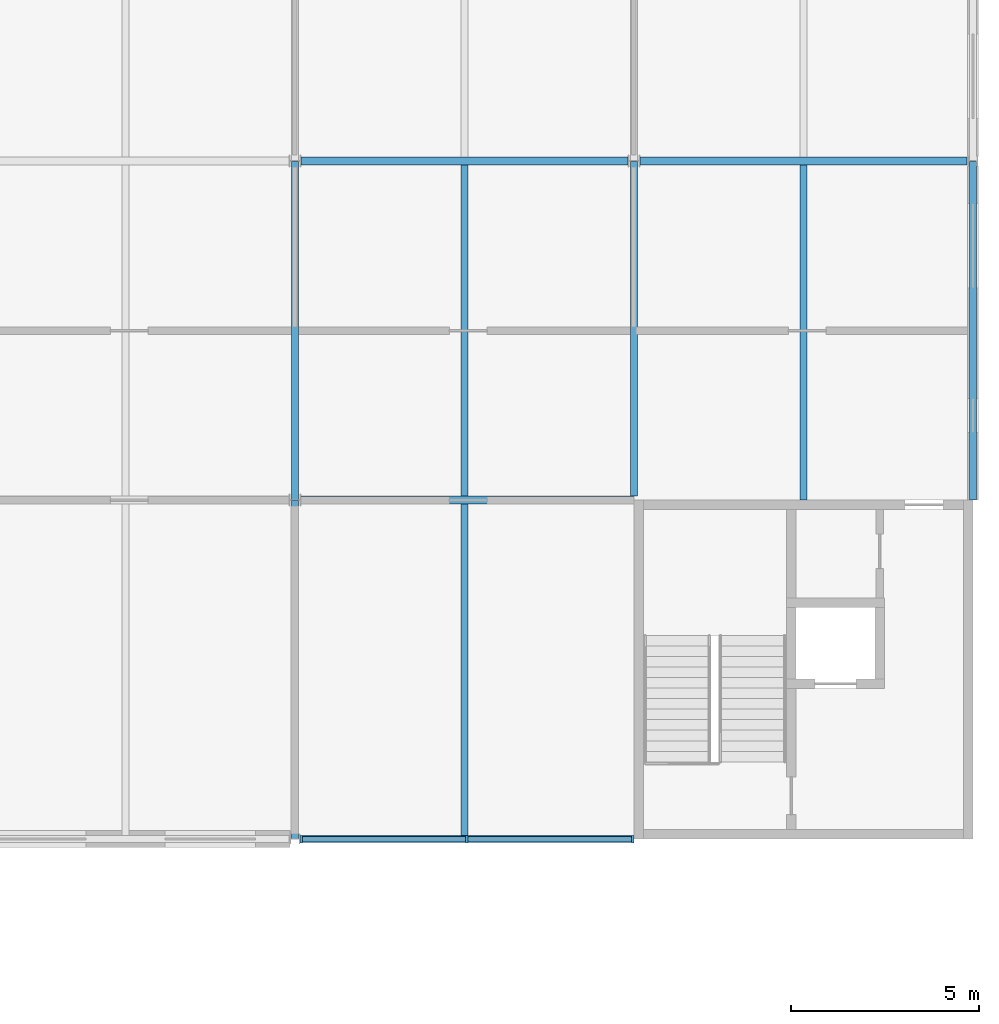
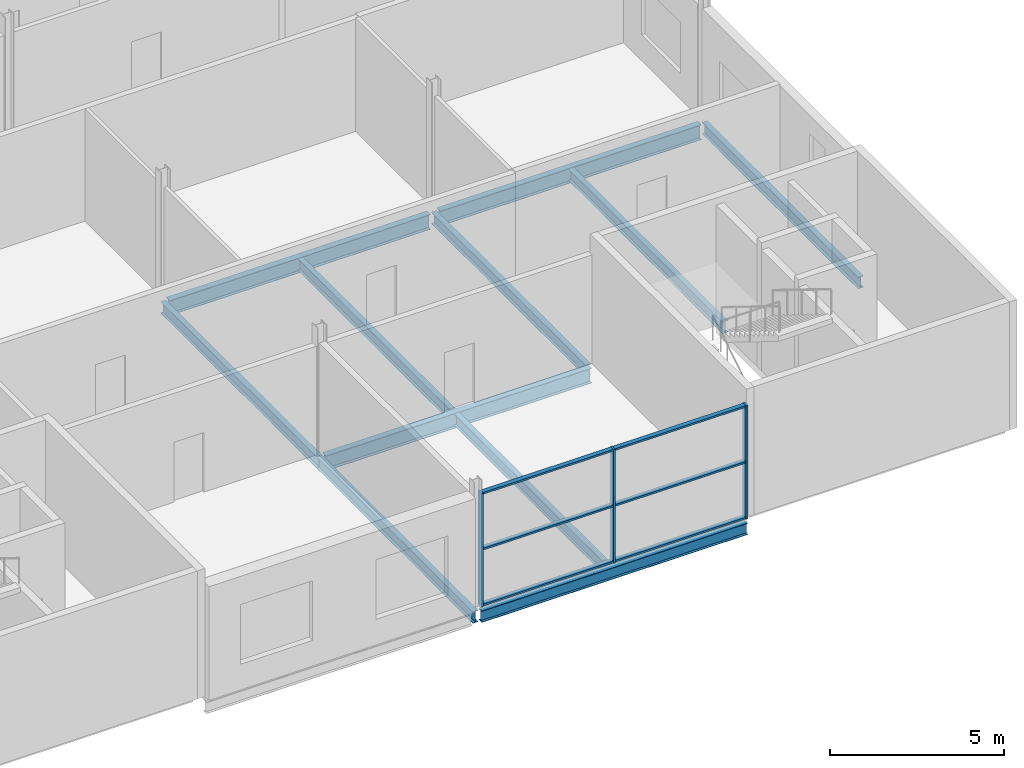
# One storey, part 54 of 97: 11 beams, 9 members, 1 element without a shape of its own.
"""IFC4 building model written with IfcOpenShell, lengths in metres."""

from ifc_helpers import new_model, si_unit, direction, frame, origin, origin_2d, place, context, subcontext, project, spatial, rectangle, i_section, extrude, material, layer, layer_set, material_profile, profile_set, type_object, element, aggregate, save


model = new_model("IFC4")

# Units and contexts
model_context = context("Model", 3, precision=1e-05, world=origin(), true_north=direction((0.0, 1.0)))
body_context = subcontext(model_context, "Body", "Model", "MODEL_VIEW")
ifc_project = project(units=[si_unit("LENGTHUNIT", "METRE"), si_unit("AREAUNIT", "SQUARE_METRE"), si_unit("VOLUMEUNIT", "CUBIC_METRE"), si_unit("PLANEANGLEUNIT", "RADIAN"), si_unit("MASSUNIT", "GRAM", prefix="KILO")], contexts=[model_context])

# Site, building, storey
site_placement = place(None, origin())
site = spatial("IfcSite", under=ifc_project, at=site_placement, CompositionType="ELEMENT")
building_placement = place(site_placement, origin())
building = spatial("IfcBuilding", under=site, at=building_placement, Name="Corbel Yard City Hall", CompositionType="ELEMENT")
storey_placement = place(building_placement, frame((0.0, 0.0, 6.0)))
storey = spatial("IfcBuildingStorey", under=building, at=storey_placement, Name="L01", CompositionType="ELEMENT", Elevation=6.0)

# Beams
ifc_material_1 = material(Name="Steel Grade 300 (300 MPa yield)", Category="steel")
ifc_material_profile_1 = material_profile(ifc_material_1, i_section(OverallWidth=0.177978515625, OverallDepth=0.403076171875, WebThickness=0.007568359375, FlangeThickness=0.010986328125, at=origin_2d()), Name="410UB53.7")
ifc_profile_set_1 = profile_set([ifc_material_profile_1], Name="Steel Grade 300 (300 MPa yield)")
beam_type_1 = type_object("IfcBeamType", Name="Beam 410UB53.7", PredefinedType="BEAM", material=ifc_profile_set_1)
beam_1_placement = place(storey_placement, frame((162.0, 45.005859375, -0.3515625), z_axis=(0.0, 1.0, 0.0), x_axis=(-1.0, 0.0, 0.0)))
element("IfcBeam", 1, at=beam_1_placement, inside=storey, type_object=beam_type_1, Name="Beam 410UB53.7 SB6 L01floor", PredefinedType="BEAM", context=body_context, shape_type="SweptSolid", body=[
    extrude(i_section(OverallWidth=0.177978515625, OverallDepth=0.403076171875, WebThickness=0.007568359375, FlangeThickness=0.010986328125, at=origin_2d()), origin(), (0.0, 0.0, 1.0), 8.986328125),
])
beam_2_placement = place(storey_placement, frame((162.0, 54.0078125, -0.3515625), z_axis=(0.0, 1.0, 0.0), x_axis=(-1.0, 0.0, 0.0)))
element("IfcBeam", 2, at=beam_2_placement, inside=storey, type_object=beam_type_1, Name="Beam 410UB53.7 SB6 L01floor", PredefinedType="BEAM", context=body_context, shape_type="SweptSolid", body=[
    extrude(i_section(OverallWidth=0.177978515625, OverallDepth=0.403076171875, WebThickness=0.007568359375, FlangeThickness=0.010986328125, at=origin_2d()), origin(), (0.0, 0.0, 1.0), 8.984375),
])
beam_3_placement = place(storey_placement, frame((171.0, 54.1044921875, -0.3515625), z_axis=(0.0, 1.0, 0.0), x_axis=(-1.0, 0.0, 0.0)))
element("IfcBeam", 3, at=beam_3_placement, inside=storey, type_object=beam_type_1, Name="Beam 410UB53.7 SB6 L01floor", PredefinedType="BEAM", context=body_context, shape_type="SweptSolid", body=[
    extrude(i_section(OverallWidth=0.177978515625, OverallDepth=0.403076171875, WebThickness=0.007568359375, FlangeThickness=0.010986328125, at=origin_2d()), origin(), (0.0, 0.0, 1.0), 8.8876953125),
])
ifc_material_profile_2 = material_profile(ifc_material_1, i_section(OverallWidth=0.177978515625, OverallDepth=0.406005859375, WebThickness=0.0078125, FlangeThickness=0.0126953125, at=origin_2d()), Name="410UB59.7")
ifc_profile_set_2 = profile_set([ifc_material_profile_2], Name="Steel Grade 300 (300 MPa yield)")
beam_type_2 = type_object("IfcBeamType", Name="Edge beam 410UB59.7", PredefinedType="BEAM", material=ifc_profile_set_2)
beam_4_placement = place(storey_placement, frame((162.157470703125, 45.0, -0.35302734375), z_axis=(1.0, 0.0, 0.0), x_axis=(0.0, 1.0, 0.0)))
element("IfcBeam", 4, at=beam_4_placement, inside=storey, type_object=beam_type_2, Name="Edge beam 410UB59.7 EB2 L01floor", PredefinedType="BEAM", context=body_context, shape_type="SweptSolid", body=[
    extrude(i_section(OverallWidth=0.177978515625, OverallDepth=0.406005859375, WebThickness=0.0078125, FlangeThickness=0.0126953125, at=origin_2d()), origin(), (0.0, 0.0, 1.0), 8.842529296875),
])
beam_5_placement = place(storey_placement, frame((180.0, 54.0, -0.35302734375), z_axis=(0.0, 1.0, 0.0), x_axis=(-1.0, 0.0, 0.0)))
element("IfcBeam", 5, at=beam_5_placement, inside=storey, type_object=beam_type_2, Name="Edge beam 410UB59.7 EB2 L01floor", PredefinedType="BEAM", context=body_context, shape_type="SweptSolid", body=[
    extrude(i_section(OverallWidth=0.177978515625, OverallDepth=0.406005859375, WebThickness=0.0078125, FlangeThickness=0.0126953125, at=origin_2d()), origin(), (0.0, 0.0, 1.0), 8.994140625),
])
ifc_material_profile_3 = material_profile(ifc_material_1, i_section(OverallWidth=0.208984375, OverallDepth=0.528076171875, WebThickness=0.009521484375, FlangeThickness=0.01318359375, at=origin_2d()), Name="530UB82.0")
ifc_profile_set_3 = profile_set([ifc_material_profile_3], Name="Steel Grade 300 (300 MPa yield)")
beam_type_3 = type_object("IfcBeamType", Name="Girder 530UB82.0", PredefinedType="BEAM", material=ifc_profile_set_3)
beam_6_placement = place(storey_placement, frame((162.16357421875, 54.0, -0.4140625), z_axis=(1.0, 0.0, 0.0), x_axis=(0.0, 1.0, 0.0)))
element("IfcBeam", 6, at=beam_6_placement, inside=storey, type_object=beam_type_3, Name="Girder 530UB82.0 GB3 L01floor", PredefinedType="BEAM", context=body_context, shape_type="SweptSolid", body=[
    extrude(i_section(OverallWidth=0.208984375, OverallDepth=0.528076171875, WebThickness=0.009521484375, FlangeThickness=0.01318359375, at=origin_2d()), origin(), (0.0, 0.0, 1.0), 8.83642578125),
])
beam_7_placement = place(storey_placement, frame((162.16357421875, 63.0, -0.4140625), z_axis=(1.0, 0.0, 0.0), x_axis=(0.0, 1.0, 0.0)))
element("IfcBeam", 7, at=beam_7_placement, inside=storey, type_object=beam_type_3, Name="Girder 530UB82.0 GB3 L01floor", PredefinedType="BEAM", context=body_context, shape_type="SweptSolid", body=[
    extrude(i_section(OverallWidth=0.208984375, OverallDepth=0.528076171875, WebThickness=0.009521484375, FlangeThickness=0.01318359375, at=origin_2d()), origin(), (0.0, 0.0, 1.0), 8.6728515625),
])
beam_8_placement = place(storey_placement, frame((171.16357421875, 63.0, -0.4140625), z_axis=(1.0, 0.0, 0.0), x_axis=(0.0, 1.0, 0.0)))
element("IfcBeam", 8, at=beam_8_placement, inside=storey, type_object=beam_type_3, Name="Girder 530UB82.0 GB3 L01floor", PredefinedType="BEAM", context=body_context, shape_type="SweptSolid", body=[
    extrude(i_section(OverallWidth=0.208984375, OverallDepth=0.528076171875, WebThickness=0.009521484375, FlangeThickness=0.01318359375, at=origin_2d()), origin(), (0.0, 0.0, 1.0), 8.678955078125),
])

# Curtain wall, members
ifc_material_2 = material(Name="Aluminium extrusion", Category="aluminium")
ifc_layer = layer(ifc_material_2, 0.199951171875)
ifc_layer_set = layer_set([ifc_layer], Name="Aluminium extrusion")
curtain_wall_type = type_object("IfcCurtainWallType", Name="CW1", PredefinedType="USERDEFINED", material=ifc_layer_set)
curtain_wall_placement = place(storey_placement, origin())
curtain_wall = element("IfcCurtainWall", 9, at=curtain_wall_placement, inside=storey, type_object=curtain_wall_type, Name="Curtain wall CW1 L01", ObjectType="CURTAIN WALL", PredefinedType="USERDEFINED")
ifc_material_profile_4 = material_profile(ifc_material_2, rectangle(XDim=0.199951171875, YDim=0.06494140625, at=origin_2d()), Name="200x65")
ifc_profile_set_4 = profile_set([ifc_material_profile_4], Name="Aluminium extrusion")
member_type_1 = type_object("IfcMemberType", Name="ML1", PredefinedType="MULLION", material=ifc_profile_set_4)
member_1_placement = place(storey_placement, frame((162.16259765625, 45.0, 0.0), z_axis=(0.0, 0.0, 1.0), x_axis=(0.0, 1.0, 0.0)))
member_1 = element("IfcMember", 10, at=member_1_placement, type_object=member_type_1, Name="CW1 mullion 1", PredefinedType="MULLION", context=body_context, shape_type="SweptSolid", body=[
    extrude(rectangle(XDim=0.199951171875, YDim=0.06494140625, at=origin_2d()), origin(), (0.0, 0.0, 1.0), 3.990966796875),
])
member_2_placement = place(storey_placement, frame((166.56494140625, 45.0, 0.0), z_axis=(0.0, 0.0, 1.0), x_axis=(0.0, 1.0, 0.0)))
member_2 = element("IfcMember", 11, at=member_2_placement, type_object=member_type_1, Name="CW1 mullion 2", PredefinedType="MULLION", context=body_context, shape_type="SweptSolid", body=[
    extrude(rectangle(XDim=0.199951171875, YDim=0.06494140625, at=origin_2d()), origin(), (0.0, 0.0, 1.0), 3.990966796875),
])
member_3_placement = place(storey_placement, frame((170.967529296875, 45.0, 0.0), z_axis=(0.0, 0.0, 1.0), x_axis=(0.0, 1.0, 0.0)))
member_3 = element("IfcMember", 12, at=member_3_placement, type_object=member_type_1, Name="CW1 mullion 3", PredefinedType="MULLION", context=body_context, shape_type="SweptSolid", body=[
    extrude(rectangle(XDim=0.199951171875, YDim=0.06494140625, at=origin_2d()), origin(), (0.0, 0.0, 1.0), 3.990966796875),
])

# Beams
ifc_material_profile_5 = material_profile(ifc_material_1, i_section(OverallWidth=0.177978515625, OverallDepth=0.403076171875, WebThickness=0.007568359375, FlangeThickness=0.010986328125, at=origin_2d()), Name="410UB53.7")
ifc_profile_set_5 = profile_set([ifc_material_profile_5], Name="Steel Grade 300 (300 MPa yield)")
beam_type_4 = type_object("IfcBeamType", Name="Secondary beam 410UB53.7", PredefinedType="JOIST", material=ifc_profile_set_5)
beam_9_placement = place(storey_placement, frame((166.5, 45.089111328125, -0.3515625), z_axis=(0.0, 1.0, 0.0), x_axis=(-1.0, 0.0, 0.0)))
element("IfcBeam", 13, at=beam_9_placement, inside=storey, type_object=beam_type_4, Name="Secondary beam 410UB53.7 SB5 L01floor", PredefinedType="JOIST", context=body_context, shape_type="SweptSolid", body=[
    extrude(i_section(OverallWidth=0.177978515625, OverallDepth=0.403076171875, WebThickness=0.007568359375, FlangeThickness=0.010986328125, at=origin_2d()), origin(), (0.0, 0.0, 1.0), 8.806396484375),
])
beam_10_placement = place(storey_placement, frame((166.5, 54.1044921875, -0.3515625), z_axis=(0.0, 1.0, 0.0), x_axis=(-1.0, 0.0, 0.0)))
element("IfcBeam", 14, at=beam_10_placement, inside=storey, type_object=beam_type_4, Name="Secondary beam 410UB53.7 SB5 L01floor", PredefinedType="JOIST", context=body_context, shape_type="SweptSolid", body=[
    extrude(i_section(OverallWidth=0.177978515625, OverallDepth=0.403076171875, WebThickness=0.007568359375, FlangeThickness=0.010986328125, at=origin_2d()), origin(), (0.0, 0.0, 1.0), 8.791015625),
])
beam_11_placement = place(storey_placement, frame((175.5, 54.0, -0.3515625), z_axis=(0.0, 1.0, 0.0), x_axis=(-1.0, 0.0, 0.0)))
element("IfcBeam", 15, at=beam_11_placement, inside=storey, type_object=beam_type_4, Name="Secondary beam 410UB53.7 SB5 L01floor", PredefinedType="JOIST", context=body_context, shape_type="SweptSolid", body=[
    extrude(i_section(OverallWidth=0.177978515625, OverallDepth=0.403076171875, WebThickness=0.007568359375, FlangeThickness=0.010986328125, at=origin_2d()), origin(), (0.0, 0.0, 1.0), 8.8955078125),
])

# Member
ifc_material_profile_6 = material_profile(ifc_material_2, rectangle(XDim=0.14990234375, YDim=0.06494140625, at=origin_2d()), Name="150x65")
ifc_profile_set_6 = profile_set([ifc_material_profile_6], Name="Aluminium extrusion")
member_type_2 = type_object("IfcMemberType", Name="TR1", PredefinedType="USERDEFINED", material=ifc_profile_set_6)
member_4_placement = place(storey_placement, frame((162.195068359375, 45.0, 0.032470703125), z_axis=(1.0, 0.0, 0.0), x_axis=(0.0, 1.0, 0.0)))
member_4 = element("IfcMember", 16, at=member_4_placement, type_object=member_type_2, Name="CW1 transom 1.1", ObjectType="TRANSOM", PredefinedType="USERDEFINED", context=body_context, shape_type="SweptSolid", body=[
    extrude(rectangle(XDim=0.14990234375, YDim=0.06494140625, at=origin_2d()), origin(), (0.0, 0.0, 1.0), 4.33740234375),
])

member_5_placement = place(storey_placement, frame((162.195068359375, 45.0, 1.99560546875), z_axis=(1.0, 0.0, 0.0), x_axis=(0.0, 1.0, 0.0)))
member_5 = element("IfcMember", 17, at=member_5_placement, type_object=member_type_2, Name="CW1 transom 1.2", ObjectType="TRANSOM", PredefinedType="USERDEFINED", context=body_context, shape_type="SweptSolid", body=[
    extrude(rectangle(XDim=0.14990234375, YDim=0.06494140625, at=origin_2d()), origin(), (0.0, 0.0, 1.0), 4.33740234375),
])

member_6_placement = place(storey_placement, frame((162.195068359375, 45.0, 3.95849609375), z_axis=(1.0, 0.0, 0.0), x_axis=(0.0, 1.0, 0.0)))
member_6 = element("IfcMember", 18, at=member_6_placement, type_object=member_type_2, Name="CW1 transom 1.3", ObjectType="TRANSOM", PredefinedType="USERDEFINED", context=body_context, shape_type="SweptSolid", body=[
    extrude(rectangle(XDim=0.14990234375, YDim=0.06494140625, at=origin_2d()), origin(), (0.0, 0.0, 1.0), 4.33740234375),
])

member_7_placement = place(storey_placement, frame((166.597412109375, 45.0, 0.032470703125), z_axis=(1.0, 0.0, 0.0), x_axis=(0.0, 1.0, 0.0)))
member_7 = element("IfcMember", 19, at=member_7_placement, type_object=member_type_2, Name="CW1 transom 2.1", ObjectType="TRANSOM", PredefinedType="USERDEFINED", context=body_context, shape_type="SweptSolid", body=[
    extrude(rectangle(XDim=0.14990234375, YDim=0.06494140625, at=origin_2d()), origin(), (0.0, 0.0, 1.0), 4.337646484375),
])

member_8_placement = place(storey_placement, frame((166.597412109375, 45.0, 1.99560546875), z_axis=(1.0, 0.0, 0.0), x_axis=(0.0, 1.0, 0.0)))
member_8 = element("IfcMember", 20, at=member_8_placement, type_object=member_type_2, Name="CW1 transom 2.2", ObjectType="TRANSOM", PredefinedType="USERDEFINED", context=body_context, shape_type="SweptSolid", body=[
    extrude(rectangle(XDim=0.14990234375, YDim=0.06494140625, at=origin_2d()), origin(), (0.0, 0.0, 1.0), 4.337646484375),
])

member_9_placement = place(storey_placement, frame((166.597412109375, 45.0, 3.95849609375), z_axis=(1.0, 0.0, 0.0), x_axis=(0.0, 1.0, 0.0)))
member_9 = element("IfcMember", 21, at=member_9_placement, type_object=member_type_2, Name="CW1 transom 2.3", ObjectType="TRANSOM", PredefinedType="USERDEFINED", context=body_context, shape_type="SweptSolid", body=[
    extrude(rectangle(XDim=0.14990234375, YDim=0.06494140625, at=origin_2d()), origin(), (0.0, 0.0, 1.0), 4.337646484375),
])

aggregate(curtain_wall, [member_1, member_2, member_3, member_4, member_5, member_6, member_7, member_8, member_9])

save(model, "model.ifc")
